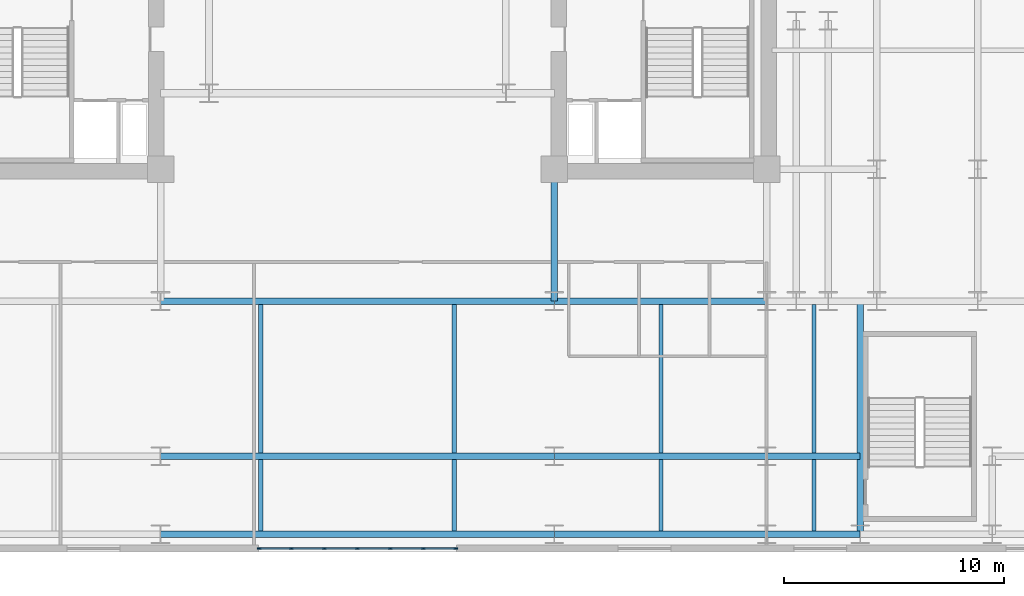
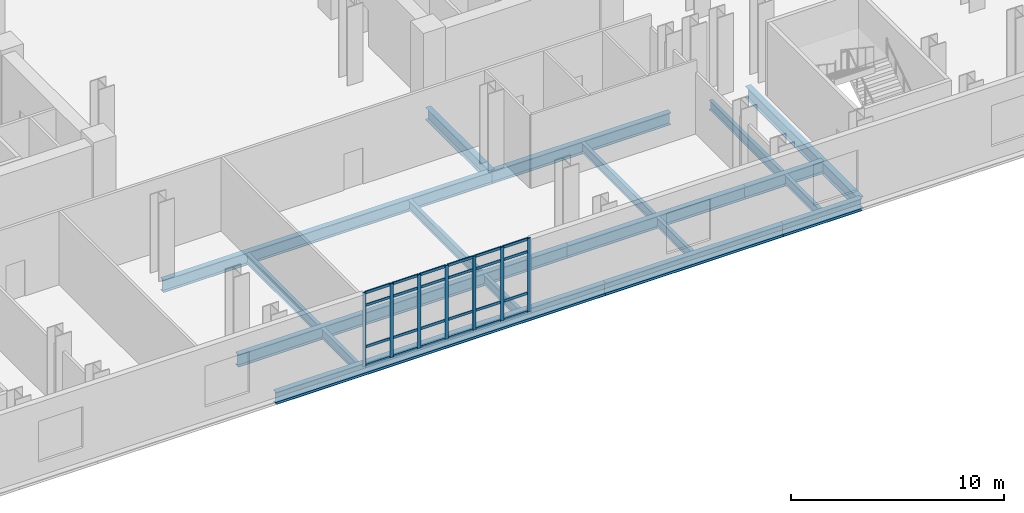
# One storey, part 3 of 13: 31 members, 18 beams, 1 element without a shape of its own.
"""IFC4 building model written with IfcOpenShell, lengths in metres."""

import ifcopenshell
import ifcopenshell.guid

model = None  # the IFC model being written
_history = None  # IfcOwnerHistory: only IFC2X3 demands one
_inside = {}  # id of a spatial element -> (the spatial element, [elements in it])
_under = {}  # id of a project, library or spatial element -> (it, [spatial elements below it])
_declared = {}  # id of a project -> (the project, [libraries it declares])
_typed = {}  # id of a type object -> (the type object, [elements of that type])
_made_of = {}  # id of a material, layer set ... -> (it, [elements and type objects made of it])


def new_model(schema):
    """Start an empty IFC model of exactly this schema.

    Asked for "IFC4X3", IfcOpenShell would pick the latest addendum, in which some entities
    have other attributes; the version numbers below select the first issue.
    IFC2X3 requires an IfcOwnerHistory on every rooted entity: one is made here for all.
    """
    global model, _history
    if schema == "IFC4X3":
        model = ifcopenshell.file(schema_version=(4, 3, 0, 0))
    else:
        model = ifcopenshell.file(schema=schema)
    _inside.clear()
    _under.clear()
    _declared.clear()
    _typed.clear()
    _made_of.clear()
    _history = None
    if model.schema == "IFC2X3":
        org = make("IfcOrganization", Name="unknown")
        user = make(
            "IfcPersonAndOrganization",
            ThePerson=make("IfcPerson", FamilyName="unknown"),
            TheOrganization=org,
        )
        app = make(
            "IfcApplication",
            ApplicationDeveloper=org,
            Version="unknown",
            ApplicationFullName="unknown",
            ApplicationIdentifier="unknown",
        )
        _history = make(
            "IfcOwnerHistory",
            OwningUser=user,
            OwningApplication=app,
            ChangeAction="ADDED",
            CreationDate=0,
        )
    return model


def make(cls, **values):
    """One entity of the class cls with the attributes given. An attribute that is None is left unset."""
    return model.create_entity(
        cls, **{name: value for name, value in values.items() if value is not None}
    )


def rooted(cls, **values):
    """An entity with a GlobalId (a new one), such as an element, a storey or a relation."""
    return make(cls, GlobalId=ifcopenshell.guid.new(), OwnerHistory=_history, **values)


def si_unit(unit_type, name, prefix=None):
    """IfcSIUnit, for example si_unit("LENGTHUNIT", "METRE", prefix="MILLI")."""
    return make("IfcSIUnit", UnitType=unit_type, Prefix=prefix, Name=name)


def assignment(units):
    """IfcUnitAssignment: the units of a project."""
    return None if units is None else make("IfcUnitAssignment", Units=units)


def point(xyz):
    """IfcCartesianPoint."""
    return None if xyz is None else make("IfcCartesianPoint", Coordinates=xyz)


def direction(xyz):
    """IfcDirection."""
    return None if xyz is None else make("IfcDirection", DirectionRatios=xyz)


def frame(location, z_axis=None, x_axis=None):
    """IfcAxis2Placement3D, a coordinate frame: its origin and axes. An axis left out is left unset."""
    return make(
        "IfcAxis2Placement3D",
        Location=point(location),
        Axis=direction(z_axis),
        RefDirection=direction(x_axis),
    )


def frame_2d(location, x_axis=None):
    """IfcAxis2Placement2D, a coordinate frame in the plane: its origin and x axis."""
    return make(
        "IfcAxis2Placement2D", Location=point(location), RefDirection=direction(x_axis)
    )


def origin():
    """The frame at (0, 0, 0) with its axes left unset."""
    return frame((0.0, 0.0, 0.0))


def origin_2d():
    """The frame at (0, 0) in the plane with its x axis left unset."""
    return frame_2d((0.0, 0.0))


def place(relative_to, where):
    """IfcLocalPlacement: puts the frame where relative to a parent placement (None: the world)."""
    return make(
        "IfcLocalPlacement", PlacementRelTo=relative_to, RelativePlacement=where
    )


def context(
    kind, dimensions, precision=None, world=None, true_north=None, identifier=None
):
    """IfcGeometricRepresentationContext, for example the 3D "Model" context."""
    return make(
        "IfcGeometricRepresentationContext",
        ContextIdentifier=identifier,
        ContextType=kind,
        CoordinateSpaceDimension=dimensions,
        Precision=precision,
        WorldCoordinateSystem=world,
        TrueNorth=true_north,
    )


def subcontext(parent, identifier, kind, view, scale=None):
    """IfcGeometricRepresentationSubContext, for example "Body" below "Model"."""
    return make(
        "IfcGeometricRepresentationSubContext",
        ContextIdentifier=identifier,
        ContextType=kind,
        ParentContext=parent,
        TargetScale=scale,
        TargetView=view,
    )


def project(units=None, contexts=None):
    """IfcProject with its units and contexts."""
    return rooted(
        "IfcProject",
        Name="project",
        RepresentationContexts=contexts,
        UnitsInContext=assignment(units),
    )


def spatial(cls, under=None, at=None, **own):
    """A site, building, storey or space (cls), placed at a placement, below another one or the project."""
    s = rooted(cls, ObjectPlacement=at, **own)
    if under is not None:
        _under.setdefault(under.id(), (under, []))[1].append(s)
    return s


def profile(cls, at=None, kind="AREA", **sizes):
    """A parametric profile (cls). Its sizes go by their IFC names, for example OverallWidth=200.0."""
    return make(cls, ProfileType=kind, Position=at, **sizes)


def rectangle(**sizes):
    """IfcRectangleProfileDef."""
    return profile("IfcRectangleProfileDef", **sizes)


def i_section(**sizes):
    """IfcIShapeProfileDef."""
    return profile("IfcIShapeProfileDef", **sizes)


def extrude(swept, where, along, depth):
    """IfcExtrudedAreaSolid: the profile swept, set in the frame where, extruded along a direction by depth."""
    return make(
        "IfcExtrudedAreaSolid",
        SweptArea=swept,
        Position=where,
        ExtrudedDirection=direction(along),
        Depth=depth,
    )


def shape(context_of_items, identifier, shape_type, items):
    """IfcShapeRepresentation: the items that make up one representation, for example the "Body"."""
    return make(
        "IfcShapeRepresentation",
        ContextOfItems=context_of_items,
        RepresentationIdentifier=identifier,
        RepresentationType=shape_type,
        Items=items,
    )


def material(Name=None, Category=None):
    """IfcMaterial."""
    return make("IfcMaterial", Name=Name, Category=Category)


def layer(
    of_material, thickness, ventilated=None, Name=None, Category=None, Priority=None
):
    """IfcMaterialLayer: one layer of a wall or slab, of a material (None: an air gap)."""
    return make(
        "IfcMaterialLayer",
        Material=of_material,
        LayerThickness=thickness,
        IsVentilated=ventilated,
        Name=Name,
        Category=Category,
        Priority=Priority,
    )


def layer_set(layers, Name=None):
    """IfcMaterialLayerSet."""
    return make("IfcMaterialLayerSet", MaterialLayers=layers, LayerSetName=Name)


def material_profile(
    of_material, cross_section, Name=None, Category=None, Priority=None
):
    """IfcMaterialProfile: a cross section and its material."""
    return make(
        "IfcMaterialProfile",
        Name=Name,
        Material=of_material,
        Profile=cross_section,
        Priority=Priority,
        Category=Category,
    )


def profile_set(profiles, Name=None, composite=None):
    """IfcMaterialProfileSet."""
    return make(
        "IfcMaterialProfileSet",
        Name=Name,
        MaterialProfiles=profiles,
        CompositeProfile=composite,
    )


def made_of(thing, what):
    """Note that an element or type object is made of a material, layer set ...; save() writes the relation."""
    if what is not None:
        _made_of.setdefault(what.id(), (what, []))[1].append(thing)
    return thing


def type_object(cls, material=None, **own):
    """A type object (cls), such as IfcWallType, which elements share."""
    return made_of(rooted(cls, **own), material)


def element(
    cls,
    number,
    at=None,
    inside=None,
    cuts=None,
    type_object=None,
    material=None,
    context=None,
    identifier="Body",
    shape_type=None,
    held_by="IfcProductDefinitionShape",
    body=None,
    shapes=None,
    **own,
):
    """One element of the class cls, such as IfcWall. Its Tag is "e" and its number.

    at: its placement. inside: the storey or other place that contains it. cuts: it is an
    opening in that element (IfcRelVoidsElement). A single representation is given by context,
    identifier, shape_type and body (its items); several are given by shapes. held_by: the class
    of the entity that holds the representations. save() writes the other relations.
    """
    e = rooted(cls, Tag="e%d" % number, ObjectPlacement=at, **own)
    if body is not None:
        shapes = [shape(context, identifier, shape_type, body)]
    if shapes is not None:
        e.Representation = make(held_by, Representations=shapes)
    if inside is not None:
        _inside.setdefault(inside.id(), (inside, []))[1].append(e)
    if cuts is not None:
        rooted(
            "IfcRelVoidsElement", RelatingBuildingElement=cuts, RelatedOpeningElement=e
        )
    if type_object is not None:
        _typed.setdefault(type_object.id(), (type_object, []))[1].append(e)
    return made_of(e, material)


def aggregate(whole, parts):
    """IfcRelAggregates: a whole, such as a stair, and the parts it consists of."""
    return rooted("IfcRelAggregates", RelatingObject=whole, RelatedObjects=parts)


def save(model, path):
    """Write the relations noted so far, then the file.

    IfcRelAggregates (storeys below a building ...), IfcRelContainedInSpatialStructure (elements
    in a storey), IfcRelDefinesByType, IfcRelAssociatesMaterial and IfcRelDeclares: one each for
    every whole, place, type object, material and project.
    """
    for whole, parts in _under.values():
        aggregate(whole, parts)
    for where, things in _inside.values():
        rooted(
            "IfcRelContainedInSpatialStructure",
            RelatedElements=things,
            RelatingStructure=where,
        )
    for kind, things in _typed.values():
        rooted("IfcRelDefinesByType", RelatedObjects=things, RelatingType=kind)
    for what, things in _made_of.values():
        rooted("IfcRelAssociatesMaterial", RelatedObjects=things, RelatingMaterial=what)
    for by, libraries in _declared.values():
        rooted("IfcRelDeclares", RelatingContext=by, RelatedDefinitions=libraries)
    model.write(path)


model = new_model("IFC4")

# Units and contexts
model_context = context("Model", 3, precision=1e-05, world=origin(), true_north=direction((0.0, 1.0)))
body_context = subcontext(model_context, "Body", "Model", "MODEL_VIEW")
ifc_project = project(units=[si_unit("LENGTHUNIT", "METRE"), si_unit("AREAUNIT", "SQUARE_METRE"), si_unit("VOLUMEUNIT", "CUBIC_METRE"), si_unit("PLANEANGLEUNIT", "RADIAN"), si_unit("MASSUNIT", "GRAM", prefix="KILO")], contexts=[model_context])

# Site, building, storey
site_placement = place(None, origin())
site = spatial("IfcSite", under=ifc_project, at=site_placement, CompositionType="ELEMENT")
building_placement = place(site_placement, origin())
building = spatial("IfcBuilding", under=site, at=building_placement, Name="Velakula Bourse", CompositionType="ELEMENT")
storey_placement = place(building_placement, frame((0.0, 0.0, 9.60009765625)))
storey = spatial("IfcBuildingStorey", under=building, at=storey_placement, Name="L02", CompositionType="ELEMENT", Elevation=9.60009765625)

# Beams
ifc_material_1 = material(Name="Steel IS 2062 Grade 350 (E350)", Category="steel")
ifc_material_profile_1 = material_profile(ifc_material_1, i_section(OverallWidth=0.300048828125, OverallDepth=0.699951171875, WebThickness=0.01611328125, FlangeThickness=0.02490234375, at=origin_2d()), Name="Steel IS 2062 Grade 350 (E350)")
ifc_profile_set_1 = profile_set([ifc_material_profile_1], Name="Steel IS 2062 Grade 350 (E350)")
beam_type_1 = type_object("IfcBeamType", Name="BM-POD-700", PredefinedType="BEAM", material=ifc_profile_set_1)
beam_1_placement = place(storey_placement, frame((8.949951171875, -14.60009765625, -0.60009765625), z_axis=(0.0, 1.0, 0.0), x_axis=(-1.0, 0.0, 0.0)))
element("IfcBeam", 1, at=beam_1_placement, inside=storey, type_object=beam_type_1, Name="L02 Fulcrum Grid Girder FLC-ECS", PredefinedType="BEAM", context=body_context, shape_type="SweptSolid", body=[
    extrude(i_section(OverallWidth=0.300048828125, OverallDepth=0.699951171875, WebThickness=0.01611328125, FlangeThickness=0.02490234375, at=origin_2d()), origin(), (0.0, 0.0, 1.0), 6.0),
])
beam_2_placement = place(storey_placement, frame((-8.949951171875, -14.60009765625, -0.60009765625), z_axis=(1.0, 0.0, 0.0), x_axis=(0.0, 1.0, 0.0)))
element("IfcBeam", 2, at=beam_2_placement, inside=storey, type_object=beam_type_1, Name="L02 Fulcrum Grid Girder FLC-S2", PredefinedType="BEAM", context=body_context, shape_type="SweptSolid", body=[
    extrude(i_section(OverallWidth=0.300048828125, OverallDepth=0.699951171875, WebThickness=0.01611328125, FlangeThickness=0.02490234375, at=origin_2d()), origin(), (0.0, 0.0, 1.0), 17.89990234375),
])
beam_3_placement = place(storey_placement, frame((8.949951171875, -14.60009765625, -0.60009765625), z_axis=(1.0, 0.0, 0.0), x_axis=(0.0, 1.0, 0.0)))
element("IfcBeam", 3, at=beam_3_placement, inside=storey, type_object=beam_type_1, Name="L02 Fulcrum Grid Girder FLC-S3", PredefinedType="BEAM", context=body_context, shape_type="SweptSolid", body=[
    extrude(i_section(OverallWidth=0.300048828125, OverallDepth=0.699951171875, WebThickness=0.01611328125, FlangeThickness=0.02490234375, at=origin_2d()), origin(), (0.0, 0.0, 1.0), 9.650146484375),
])
beam_4_placement = place(storey_placement, frame((22.85009765625, -25.199951171875, -0.60009765625), z_axis=(0.0, 1.0, 0.0), x_axis=(-1.0, 0.0, 0.0)))
element("IfcBeam", 4, at=beam_4_placement, inside=storey, type_object=beam_type_1, Name="L02 Podium Stairwell Header Girder STE", PredefinedType="BEAM", context=body_context, shape_type="SweptSolid", body=[
    extrude(i_section(OverallWidth=0.300048828125, OverallDepth=0.699951171875, WebThickness=0.01611328125, FlangeThickness=0.02490234375, at=origin_2d()), origin(), (0.0, 0.0, 1.0), 10.599853515625),
])
beam_5_placement = place(storey_placement, frame((-8.949951171875, -25.199951171875, -0.60009765625), z_axis=(1.0, 0.0, 0.0), x_axis=(0.0, 1.0, 0.0)))
element("IfcBeam", 5, at=beam_5_placement, inside=storey, type_object=beam_type_1, Name="L02 Podium E-W Girder 06", PredefinedType="BEAM", context=body_context, shape_type="SweptSolid", body=[
    extrude(i_section(OverallWidth=0.300048828125, OverallDepth=0.699951171875, WebThickness=0.01611328125, FlangeThickness=0.02490234375, at=origin_2d()), origin(), (0.0, 0.0, 1.0), 17.89990234375),
])
beam_6_placement = place(storey_placement, frame((8.949951171875, -25.199951171875, -0.60009765625), z_axis=(1.0, 0.0, 0.0), x_axis=(0.0, 1.0, 0.0)))
element("IfcBeam", 6, at=beam_6_placement, inside=storey, type_object=beam_type_1, Name="L02 Podium E-W Girder 07", PredefinedType="BEAM", context=body_context, shape_type="SweptSolid", body=[
    extrude(i_section(OverallWidth=0.300048828125, OverallDepth=0.699951171875, WebThickness=0.01611328125, FlangeThickness=0.02490234375, at=origin_2d()), origin(), (0.0, 0.0, 1.0), 9.650146484375),
])
beam_7_placement = place(storey_placement, frame((18.60009765625, -25.199951171875, -0.60009765625), z_axis=(1.0, 0.0, 0.0), x_axis=(0.0, 1.0, 0.0)))
element("IfcBeam", 7, at=beam_7_placement, inside=storey, type_object=beam_type_1, Name="L02 Podium E-W Girder 08", PredefinedType="BEAM", context=body_context, shape_type="SweptSolid", body=[
    extrude(i_section(OverallWidth=0.300048828125, OverallDepth=0.699951171875, WebThickness=0.01611328125, FlangeThickness=0.02490234375, at=origin_2d()), origin(), (0.0, 0.0, 1.0), 4.25),
])
beam_8_placement = place(storey_placement, frame((-8.949951171875, -21.64990234375, -0.60009765625), z_axis=(1.0, 0.0, 0.0), x_axis=(0.0, 1.0, 0.0)))
element("IfcBeam", 8, at=beam_8_placement, inside=storey, type_object=beam_type_1, Name="L02 Podium E-W Girder 16", PredefinedType="BEAM", context=body_context, shape_type="SweptSolid", body=[
    extrude(i_section(OverallWidth=0.300048828125, OverallDepth=0.699951171875, WebThickness=0.01611328125, FlangeThickness=0.02490234375, at=origin_2d()), origin(), (0.0, 0.0, 1.0), 17.89990234375),
])
beam_9_placement = place(storey_placement, frame((8.949951171875, -21.64990234375, -0.60009765625), z_axis=(1.0, 0.0, 0.0), x_axis=(0.0, 1.0, 0.0)))
element("IfcBeam", 9, at=beam_9_placement, inside=storey, type_object=beam_type_1, Name="L02 Podium E-W Girder 17", PredefinedType="BEAM", context=body_context, shape_type="SweptSolid", body=[
    extrude(i_section(OverallWidth=0.300048828125, OverallDepth=0.699951171875, WebThickness=0.01611328125, FlangeThickness=0.02490234375, at=origin_2d()), origin(), (0.0, 0.0, 1.0), 9.650146484375),
])
beam_10_placement = place(storey_placement, frame((18.60009765625, -21.64990234375, -0.60009765625), z_axis=(1.0, 0.0, 0.0), x_axis=(0.0, 1.0, 0.0)))
element("IfcBeam", 10, at=beam_10_placement, inside=storey, type_object=beam_type_1, Name="L02 Podium E-W Girder 18", PredefinedType="BEAM", context=body_context, shape_type="SweptSolid", body=[
    extrude(i_section(OverallWidth=0.300048828125, OverallDepth=0.699951171875, WebThickness=0.01611328125, FlangeThickness=0.02490234375, at=origin_2d()), origin(), (0.0, 0.0, 1.0), 4.25),
])
ifc_material_profile_2 = material_profile(ifc_material_1, i_section(OverallWidth=0.18994140625, OverallDepth=0.550048828125, WebThickness=0.01123046875, FlangeThickness=0.019287109375, at=origin_2d()), Name="Steel IS 2062 Grade 350 (E350)")
ifc_profile_set_2 = profile_set([ifc_material_profile_2], Name="Steel IS 2062 Grade 350 (E350)")
beam_type_2 = type_object("IfcBeamType", Name="JST-POD-550", PredefinedType="JOIST", material=ifc_profile_set_2)
beam_11_placement = place(storey_placement, frame((-4.39990234375, -25.050048828125, -0.525146484375), z_axis=(0.0, 1.0, 0.0), x_axis=(-1.0, 0.0, 0.0)))
element("IfcBeam", 11, at=beam_11_placement, inside=storey, type_object=beam_type_2, Name="L02 Station Podium Floor Joist 13", PredefinedType="JOIST", context=body_context, shape_type="SweptSolid", body=[
    extrude(i_section(OverallWidth=0.18994140625, OverallDepth=0.550048828125, WebThickness=0.01123046875, FlangeThickness=0.019287109375, at=origin_2d()), origin(), (0.0, 0.0, 1.0), 3.25),
])
beam_12_placement = place(storey_placement, frame((-4.39990234375, -21.5, -0.525146484375), z_axis=(0.0, 1.0, 0.0), x_axis=(-1.0, 0.0, 0.0)))
element("IfcBeam", 12, at=beam_12_placement, inside=storey, type_object=beam_type_2, Name="L02 Station Podium Floor Joist 14", PredefinedType="JOIST", context=body_context, shape_type="SweptSolid", body=[
    extrude(i_section(OverallWidth=0.18994140625, OverallDepth=0.550048828125, WebThickness=0.01123046875, FlangeThickness=0.019287109375, at=origin_2d()), origin(), (0.0, 0.0, 1.0), 6.75),
])
beam_13_placement = place(storey_placement, frame((4.39990234375, -25.050048828125, -0.525146484375), z_axis=(0.0, 1.0, 0.0), x_axis=(-1.0, 0.0, 0.0)))
element("IfcBeam", 13, at=beam_13_placement, inside=storey, type_object=beam_type_2, Name="L02 Station Podium Floor Joist 17", PredefinedType="JOIST", context=body_context, shape_type="SweptSolid", body=[
    extrude(i_section(OverallWidth=0.18994140625, OverallDepth=0.550048828125, WebThickness=0.01123046875, FlangeThickness=0.019287109375, at=origin_2d()), origin(), (0.0, 0.0, 1.0), 3.25),
])
beam_14_placement = place(storey_placement, frame((4.39990234375, -21.5, -0.525146484375), z_axis=(0.0, 1.0, 0.0), x_axis=(-1.0, 0.0, 0.0)))
element("IfcBeam", 14, at=beam_14_placement, inside=storey, type_object=beam_type_2, Name="L02 Station Podium Floor Joist 18", PredefinedType="JOIST", context=body_context, shape_type="SweptSolid", body=[
    extrude(i_section(OverallWidth=0.18994140625, OverallDepth=0.550048828125, WebThickness=0.01123046875, FlangeThickness=0.019287109375, at=origin_2d()), origin(), (0.0, 0.0, 1.0), 6.75),
])
beam_15_placement = place(storey_placement, frame((13.800048828125, -25.050048828125, -0.525146484375), z_axis=(0.0, 1.0, 0.0), x_axis=(-1.0, 0.0, 0.0)))
element("IfcBeam", 15, at=beam_15_placement, inside=storey, type_object=beam_type_2, Name="L02 Station Podium Floor Joist 21", PredefinedType="JOIST", context=body_context, shape_type="SweptSolid", body=[
    extrude(i_section(OverallWidth=0.18994140625, OverallDepth=0.550048828125, WebThickness=0.01123046875, FlangeThickness=0.019287109375, at=origin_2d()), origin(), (0.0, 0.0, 1.0), 3.25),
])
beam_16_placement = place(storey_placement, frame((13.800048828125, -21.5, -0.525146484375), z_axis=(0.0, 1.0, 0.0), x_axis=(-1.0, 0.0, 0.0)))
element("IfcBeam", 16, at=beam_16_placement, inside=storey, type_object=beam_type_2, Name="L02 Station Podium Floor Joist 22", PredefinedType="JOIST", context=body_context, shape_type="SweptSolid", body=[
    extrude(i_section(OverallWidth=0.18994140625, OverallDepth=0.550048828125, WebThickness=0.01123046875, FlangeThickness=0.019287109375, at=origin_2d()), origin(), (0.0, 0.0, 1.0), 6.75),
])
beam_17_placement = place(storey_placement, frame((20.75, -25.050048828125, -0.525146484375), z_axis=(0.0, 1.0, 0.0), x_axis=(-1.0, 0.0, 0.0)))
element("IfcBeam", 17, at=beam_17_placement, inside=storey, type_object=beam_type_2, Name="L02 Station Podium Floor Joist 25", PredefinedType="JOIST", context=body_context, shape_type="SweptSolid", body=[
    extrude(i_section(OverallWidth=0.18994140625, OverallDepth=0.550048828125, WebThickness=0.01123046875, FlangeThickness=0.019287109375, at=origin_2d()), origin(), (0.0, 0.0, 1.0), 3.25),
])
beam_18_placement = place(storey_placement, frame((20.75, -21.5, -0.525146484375), z_axis=(0.0, 1.0, 0.0), x_axis=(-1.0, 0.0, 0.0)))
element("IfcBeam", 18, at=beam_18_placement, inside=storey, type_object=beam_type_2, Name="L02 Station Podium Floor Joist 26", PredefinedType="JOIST", context=body_context, shape_type="SweptSolid", body=[
    extrude(i_section(OverallWidth=0.18994140625, OverallDepth=0.550048828125, WebThickness=0.01123046875, FlangeThickness=0.019287109375, at=origin_2d()), origin(), (0.0, 0.0, 1.0), 6.75),
])

# Curtain wall, members
ifc_material_2 = material(Name="Anodised bronze architectural aluminium", Category="aluminium")
ifc_layer = layer(ifc_material_2, 0.179931640625, Name="Anodised bronze architectural aluminium", Category="aluminium")
ifc_layer_set = layer_set([ifc_layer], Name="Anodised bronze architectural aluminium")
curtain_wall_type = type_object("IfcCurtainWallType", Name="CW-PD1", PredefinedType="NOTDEFINED", material=ifc_layer_set)
curtain_wall_placement = place(storey_placement, origin())
curtain_wall = element("IfcCurtainWall", 19, at=curtain_wall_placement, inside=storey, type_object=curtain_wall_type, Name="L02 South Station Galleria Curtain Wall 2", PredefinedType="NOTDEFINED")
ifc_material_profile_3 = material_profile(ifc_material_2, rectangle(XDim=0.06005859375, YDim=0.179931640625, at=origin_2d()), Name="Anodised bronze architectural aluminium")
ifc_profile_set_3 = profile_set([ifc_material_profile_3], Name="Anodised bronze architectural aluminium")
member_type_1 = type_object("IfcMemberType", Name="MUL-CW-PD1", PredefinedType="MULLION", material=ifc_profile_set_3)
member_1_placement = place(storey_placement, frame((4.469970703125, -25.840087890625, 0.0), z_axis=(0.0, 0.0, 1.0), x_axis=(0.0, -1.0, 0.0)))
member_1 = element("IfcMember", 20, at=member_1_placement, type_object=member_type_1, Name="CW-PD1 mullion 1", PredefinedType="MULLION", context=body_context, shape_type="SweptSolid", body=[
    extrude(rectangle(XDim=0.06005859375, YDim=0.179931640625, at=origin_2d()), origin(), (0.0, 0.0, 1.0), 4.22998046875),
])
member_2_placement = place(storey_placement, frame((3.0, -25.840087890625, 0.0), z_axis=(0.0, 0.0, 1.0), x_axis=(0.0, -1.0, 0.0)))
member_2 = element("IfcMember", 21, at=member_2_placement, type_object=member_type_1, Name="CW-PD1 mullion 2", PredefinedType="MULLION", context=body_context, shape_type="SweptSolid", body=[
    extrude(rectangle(XDim=0.06005859375, YDim=0.179931640625, at=origin_2d()), origin(), (0.0, 0.0, 1.0), 4.22998046875),
])
member_3_placement = place(storey_placement, frame((1.5, -25.840087890625, 0.0), z_axis=(0.0, 0.0, 1.0), x_axis=(0.0, -1.0, 0.0)))
member_3 = element("IfcMember", 22, at=member_3_placement, type_object=member_type_1, Name="CW-PD1 mullion 3", PredefinedType="MULLION", context=body_context, shape_type="SweptSolid", body=[
    extrude(rectangle(XDim=0.06005859375, YDim=0.179931640625, at=origin_2d()), origin(), (0.0, 0.0, 1.0), 4.22998046875),
])
member_4_placement = place(storey_placement, frame((0.0, -25.840087890625, 0.0), z_axis=(0.0, 0.0, 1.0), x_axis=(0.0, -1.0, 0.0)))
member_4 = element("IfcMember", 23, at=member_4_placement, type_object=member_type_1, Name="CW-PD1 mullion 4", PredefinedType="MULLION", context=body_context, shape_type="SweptSolid", body=[
    extrude(rectangle(XDim=0.06005859375, YDim=0.179931640625, at=origin_2d()), origin(), (0.0, 0.0, 1.0), 4.22998046875),
])
member_5_placement = place(storey_placement, frame((-1.5, -25.840087890625, 0.0), z_axis=(0.0, 0.0, 1.0), x_axis=(0.0, -1.0, 0.0)))
member_5 = element("IfcMember", 24, at=member_5_placement, type_object=member_type_1, Name="CW-PD1 mullion 5", PredefinedType="MULLION", context=body_context, shape_type="SweptSolid", body=[
    extrude(rectangle(XDim=0.06005859375, YDim=0.179931640625, at=origin_2d()), origin(), (0.0, 0.0, 1.0), 4.22998046875),
])
member_6_placement = place(storey_placement, frame((-3.0, -25.840087890625, 0.0), z_axis=(0.0, 0.0, 1.0), x_axis=(0.0, -1.0, 0.0)))
member_6 = element("IfcMember", 25, at=member_6_placement, type_object=member_type_1, Name="CW-PD1 mullion 6", PredefinedType="MULLION", context=body_context, shape_type="SweptSolid", body=[
    extrude(rectangle(XDim=0.06005859375, YDim=0.179931640625, at=origin_2d()), origin(), (0.0, 0.0, 1.0), 4.22998046875),
])
member_7_placement = place(storey_placement, frame((-4.469970703125, -25.840087890625, 0.0), z_axis=(0.0, 0.0, 1.0), x_axis=(0.0, -1.0, 0.0)))
member_7 = element("IfcMember", 26, at=member_7_placement, type_object=member_type_1, Name="CW-PD1 mullion 7", PredefinedType="MULLION", context=body_context, shape_type="SweptSolid", body=[
    extrude(rectangle(XDim=0.06005859375, YDim=0.179931640625, at=origin_2d()), origin(), (0.0, 0.0, 1.0), 4.22998046875),
])
ifc_material_profile_4 = material_profile(ifc_material_2, rectangle(XDim=0.06005859375, YDim=0.14990234375, at=origin_2d()), Name="Anodised bronze architectural aluminium")
ifc_profile_set_4 = profile_set([ifc_material_profile_4], Name="Anodised bronze architectural aluminium")
member_type_2 = type_object("IfcMemberType", Name="TRN-CW-PD1", PredefinedType="USERDEFINED", material=ifc_profile_set_4)
member_8_placement = place(storey_placement, frame((4.43994140625, -25.840087890625, 0.02978515625), z_axis=(-1.0, 0.0, 0.0), x_axis=(0.0, -1.0, 0.0)))
member_8 = element("IfcMember", 27, at=member_8_placement, type_object=member_type_2, Name="CW-PD1 transom 1.1", ObjectType="TRANSOM", PredefinedType="USERDEFINED", context=body_context, shape_type="SweptSolid", body=[
    extrude(rectangle(XDim=0.06005859375, YDim=0.14990234375, at=origin_2d()), origin(), (0.0, 0.0, 1.0), 1.409912109375),
])
member_9_placement = place(storey_placement, frame((4.43994140625, -25.840087890625, 1.099853515625), z_axis=(-1.0, 0.0, 0.0), x_axis=(0.0, -1.0, 0.0)))
member_9 = element("IfcMember", 28, at=member_9_placement, type_object=member_type_2, Name="CW-PD1 transom 1.2", ObjectType="TRANSOM", PredefinedType="USERDEFINED", context=body_context, shape_type="SweptSolid", body=[
    extrude(rectangle(XDim=0.06005859375, YDim=0.14990234375, at=origin_2d()), origin(), (0.0, 0.0, 1.0), 1.409912109375),
])
member_10_placement = place(storey_placement, frame((4.43994140625, -25.840087890625, 3.47998046875), z_axis=(-1.0, 0.0, 0.0), x_axis=(0.0, -1.0, 0.0)))
member_10 = element("IfcMember", 29, at=member_10_placement, type_object=member_type_2, Name="CW-PD1 transom 1.3", ObjectType="TRANSOM", PredefinedType="USERDEFINED", context=body_context, shape_type="SweptSolid", body=[
    extrude(rectangle(XDim=0.06005859375, YDim=0.14990234375, at=origin_2d()), origin(), (0.0, 0.0, 1.0), 1.409912109375),
])
member_11_placement = place(storey_placement, frame((4.43994140625, -25.840087890625, 4.199951171875), z_axis=(-1.0, 0.0, 0.0), x_axis=(0.0, -1.0, 0.0)))
member_11 = element("IfcMember", 30, at=member_11_placement, type_object=member_type_2, Name="CW-PD1 transom 1.4", ObjectType="TRANSOM", PredefinedType="USERDEFINED", context=body_context, shape_type="SweptSolid", body=[
    extrude(rectangle(XDim=0.06005859375, YDim=0.14990234375, at=origin_2d()), origin(), (0.0, 0.0, 1.0), 1.409912109375),
])
member_12_placement = place(storey_placement, frame((2.969970703125, -25.840087890625, 0.02978515625), z_axis=(-1.0, 0.0, 0.0), x_axis=(0.0, -1.0, 0.0)))
member_12 = element("IfcMember", 31, at=member_12_placement, type_object=member_type_2, Name="CW-PD1 transom 2.1", ObjectType="TRANSOM", PredefinedType="USERDEFINED", context=body_context, shape_type="SweptSolid", body=[
    extrude(rectangle(XDim=0.06005859375, YDim=0.14990234375, at=origin_2d()), origin(), (0.0, 0.0, 1.0), 1.43994140625),
])
member_13_placement = place(storey_placement, frame((2.969970703125, -25.840087890625, 1.099853515625), z_axis=(-1.0, 0.0, 0.0), x_axis=(0.0, -1.0, 0.0)))
member_13 = element("IfcMember", 32, at=member_13_placement, type_object=member_type_2, Name="CW-PD1 transom 2.2", ObjectType="TRANSOM", PredefinedType="USERDEFINED", context=body_context, shape_type="SweptSolid", body=[
    extrude(rectangle(XDim=0.06005859375, YDim=0.14990234375, at=origin_2d()), origin(), (0.0, 0.0, 1.0), 1.43994140625),
])
member_14_placement = place(storey_placement, frame((2.969970703125, -25.840087890625, 3.47998046875), z_axis=(-1.0, 0.0, 0.0), x_axis=(0.0, -1.0, 0.0)))
member_14 = element("IfcMember", 33, at=member_14_placement, type_object=member_type_2, Name="CW-PD1 transom 2.3", ObjectType="TRANSOM", PredefinedType="USERDEFINED", context=body_context, shape_type="SweptSolid", body=[
    extrude(rectangle(XDim=0.06005859375, YDim=0.14990234375, at=origin_2d()), origin(), (0.0, 0.0, 1.0), 1.43994140625),
])
member_15_placement = place(storey_placement, frame((2.969970703125, -25.840087890625, 4.199951171875), z_axis=(-1.0, 0.0, 0.0), x_axis=(0.0, -1.0, 0.0)))
member_15 = element("IfcMember", 34, at=member_15_placement, type_object=member_type_2, Name="CW-PD1 transom 2.4", ObjectType="TRANSOM", PredefinedType="USERDEFINED", context=body_context, shape_type="SweptSolid", body=[
    extrude(rectangle(XDim=0.06005859375, YDim=0.14990234375, at=origin_2d()), origin(), (0.0, 0.0, 1.0), 1.43994140625),
])
member_16_placement = place(storey_placement, frame((1.469970703125, -25.840087890625, 0.02978515625), z_axis=(-1.0, 0.0, 0.0), x_axis=(0.0, -1.0, 0.0)))
member_16 = element("IfcMember", 35, at=member_16_placement, type_object=member_type_2, Name="CW-PD1 transom 3.1", ObjectType="TRANSOM", PredefinedType="USERDEFINED", context=body_context, shape_type="SweptSolid", body=[
    extrude(rectangle(XDim=0.06005859375, YDim=0.14990234375, at=origin_2d()), origin(), (0.0, 0.0, 1.0), 1.43994140625),
])
member_17_placement = place(storey_placement, frame((1.469970703125, -25.840087890625, 1.099853515625), z_axis=(-1.0, 0.0, 0.0), x_axis=(0.0, -1.0, 0.0)))
member_17 = element("IfcMember", 36, at=member_17_placement, type_object=member_type_2, Name="CW-PD1 transom 3.2", ObjectType="TRANSOM", PredefinedType="USERDEFINED", context=body_context, shape_type="SweptSolid", body=[
    extrude(rectangle(XDim=0.06005859375, YDim=0.14990234375, at=origin_2d()), origin(), (0.0, 0.0, 1.0), 1.43994140625),
])
member_18_placement = place(storey_placement, frame((1.469970703125, -25.840087890625, 3.47998046875), z_axis=(-1.0, 0.0, 0.0), x_axis=(0.0, -1.0, 0.0)))
member_18 = element("IfcMember", 37, at=member_18_placement, type_object=member_type_2, Name="CW-PD1 transom 3.3", ObjectType="TRANSOM", PredefinedType="USERDEFINED", context=body_context, shape_type="SweptSolid", body=[
    extrude(rectangle(XDim=0.06005859375, YDim=0.14990234375, at=origin_2d()), origin(), (0.0, 0.0, 1.0), 1.43994140625),
])
member_19_placement = place(storey_placement, frame((1.469970703125, -25.840087890625, 4.199951171875), z_axis=(-1.0, 0.0, 0.0), x_axis=(0.0, -1.0, 0.0)))
member_19 = element("IfcMember", 38, at=member_19_placement, type_object=member_type_2, Name="CW-PD1 transom 3.4", ObjectType="TRANSOM", PredefinedType="USERDEFINED", context=body_context, shape_type="SweptSolid", body=[
    extrude(rectangle(XDim=0.06005859375, YDim=0.14990234375, at=origin_2d()), origin(), (0.0, 0.0, 1.0), 1.43994140625),
])
member_20_placement = place(storey_placement, frame((-0.030029296875, -25.840087890625, 0.02978515625), z_axis=(-1.0, 0.0, 0.0), x_axis=(0.0, -1.0, 0.0)))
member_20 = element("IfcMember", 39, at=member_20_placement, type_object=member_type_2, Name="CW-PD1 transom 4.1", ObjectType="TRANSOM", PredefinedType="USERDEFINED", context=body_context, shape_type="SweptSolid", body=[
    extrude(rectangle(XDim=0.06005859375, YDim=0.14990234375, at=origin_2d()), origin(), (0.0, 0.0, 1.0), 1.43994140625),
])
member_21_placement = place(storey_placement, frame((-0.030029296875, -25.840087890625, 1.099853515625), z_axis=(-1.0, 0.0, 0.0), x_axis=(0.0, -1.0, 0.0)))
member_21 = element("IfcMember", 40, at=member_21_placement, type_object=member_type_2, Name="CW-PD1 transom 4.2", ObjectType="TRANSOM", PredefinedType="USERDEFINED", context=body_context, shape_type="SweptSolid", body=[
    extrude(rectangle(XDim=0.06005859375, YDim=0.14990234375, at=origin_2d()), origin(), (0.0, 0.0, 1.0), 1.43994140625),
])
member_22_placement = place(storey_placement, frame((-0.030029296875, -25.840087890625, 3.47998046875), z_axis=(-1.0, 0.0, 0.0), x_axis=(0.0, -1.0, 0.0)))
member_22 = element("IfcMember", 41, at=member_22_placement, type_object=member_type_2, Name="CW-PD1 transom 4.3", ObjectType="TRANSOM", PredefinedType="USERDEFINED", context=body_context, shape_type="SweptSolid", body=[
    extrude(rectangle(XDim=0.06005859375, YDim=0.14990234375, at=origin_2d()), origin(), (0.0, 0.0, 1.0), 1.43994140625),
])
member_23_placement = place(storey_placement, frame((-0.030029296875, -25.840087890625, 4.199951171875), z_axis=(-1.0, 0.0, 0.0), x_axis=(0.0, -1.0, 0.0)))
member_23 = element("IfcMember", 42, at=member_23_placement, type_object=member_type_2, Name="CW-PD1 transom 4.4", ObjectType="TRANSOM", PredefinedType="USERDEFINED", context=body_context, shape_type="SweptSolid", body=[
    extrude(rectangle(XDim=0.06005859375, YDim=0.14990234375, at=origin_2d()), origin(), (0.0, 0.0, 1.0), 1.43994140625),
])
member_24_placement = place(storey_placement, frame((-1.530029296875, -25.840087890625, 0.02978515625), z_axis=(-1.0, 0.0, 0.0), x_axis=(0.0, -1.0, 0.0)))
member_24 = element("IfcMember", 43, at=member_24_placement, type_object=member_type_2, Name="CW-PD1 transom 5.1", ObjectType="TRANSOM", PredefinedType="USERDEFINED", context=body_context, shape_type="SweptSolid", body=[
    extrude(rectangle(XDim=0.06005859375, YDim=0.14990234375, at=origin_2d()), origin(), (0.0, 0.0, 1.0), 1.43994140625),
])
member_25_placement = place(storey_placement, frame((-1.530029296875, -25.840087890625, 1.099853515625), z_axis=(-1.0, 0.0, 0.0), x_axis=(0.0, -1.0, 0.0)))
member_25 = element("IfcMember", 44, at=member_25_placement, type_object=member_type_2, Name="CW-PD1 transom 5.2", ObjectType="TRANSOM", PredefinedType="USERDEFINED", context=body_context, shape_type="SweptSolid", body=[
    extrude(rectangle(XDim=0.06005859375, YDim=0.14990234375, at=origin_2d()), origin(), (0.0, 0.0, 1.0), 1.43994140625),
])
member_26_placement = place(storey_placement, frame((-1.530029296875, -25.840087890625, 3.47998046875), z_axis=(-1.0, 0.0, 0.0), x_axis=(0.0, -1.0, 0.0)))
member_26 = element("IfcMember", 45, at=member_26_placement, type_object=member_type_2, Name="CW-PD1 transom 5.3", ObjectType="TRANSOM", PredefinedType="USERDEFINED", context=body_context, shape_type="SweptSolid", body=[
    extrude(rectangle(XDim=0.06005859375, YDim=0.14990234375, at=origin_2d()), origin(), (0.0, 0.0, 1.0), 1.43994140625),
])
member_27_placement = place(storey_placement, frame((-1.530029296875, -25.840087890625, 4.199951171875), z_axis=(-1.0, 0.0, 0.0), x_axis=(0.0, -1.0, 0.0)))
member_27 = element("IfcMember", 46, at=member_27_placement, type_object=member_type_2, Name="CW-PD1 transom 5.4", ObjectType="TRANSOM", PredefinedType="USERDEFINED", context=body_context, shape_type="SweptSolid", body=[
    extrude(rectangle(XDim=0.06005859375, YDim=0.14990234375, at=origin_2d()), origin(), (0.0, 0.0, 1.0), 1.43994140625),
])
member_28_placement = place(storey_placement, frame((-3.030029296875, -25.840087890625, 0.02978515625), z_axis=(-1.0, 0.0, 0.0), x_axis=(0.0, -1.0, 0.0)))
member_28 = element("IfcMember", 47, at=member_28_placement, type_object=member_type_2, Name="CW-PD1 transom 6.1", ObjectType="TRANSOM", PredefinedType="USERDEFINED", context=body_context, shape_type="SweptSolid", body=[
    extrude(rectangle(XDim=0.06005859375, YDim=0.14990234375, at=origin_2d()), origin(), (0.0, 0.0, 1.0), 1.409912109375),
])
member_29_placement = place(storey_placement, frame((-3.030029296875, -25.840087890625, 1.099853515625), z_axis=(-1.0, 0.0, 0.0), x_axis=(0.0, -1.0, 0.0)))
member_29 = element("IfcMember", 48, at=member_29_placement, type_object=member_type_2, Name="CW-PD1 transom 6.2", ObjectType="TRANSOM", PredefinedType="USERDEFINED", context=body_context, shape_type="SweptSolid", body=[
    extrude(rectangle(XDim=0.06005859375, YDim=0.14990234375, at=origin_2d()), origin(), (0.0, 0.0, 1.0), 1.409912109375),
])
member_30_placement = place(storey_placement, frame((-3.030029296875, -25.840087890625, 3.47998046875), z_axis=(-1.0, 0.0, 0.0), x_axis=(0.0, -1.0, 0.0)))
member_30 = element("IfcMember", 49, at=member_30_placement, type_object=member_type_2, Name="CW-PD1 transom 6.3", ObjectType="TRANSOM", PredefinedType="USERDEFINED", context=body_context, shape_type="SweptSolid", body=[
    extrude(rectangle(XDim=0.06005859375, YDim=0.14990234375, at=origin_2d()), origin(), (0.0, 0.0, 1.0), 1.409912109375),
])
member_31_placement = place(storey_placement, frame((-3.030029296875, -25.840087890625, 4.199951171875), z_axis=(-1.0, 0.0, 0.0), x_axis=(0.0, -1.0, 0.0)))
member_31 = element("IfcMember", 50, at=member_31_placement, type_object=member_type_2, Name="CW-PD1 transom 6.4", ObjectType="TRANSOM", PredefinedType="USERDEFINED", context=body_context, shape_type="SweptSolid", body=[
    extrude(rectangle(XDim=0.06005859375, YDim=0.14990234375, at=origin_2d()), origin(), (0.0, 0.0, 1.0), 1.409912109375),
])
aggregate(curtain_wall, [member_1, member_2, member_3, member_4, member_5, member_6, member_7, member_8, member_9, member_10, member_11, member_12, member_13, member_14, member_15, member_16, member_17, member_18, member_19, member_20, member_21, member_22, member_23, member_24, member_25, member_26, member_27, member_28, member_29, member_30, member_31])

save(model, "model.ifc")
